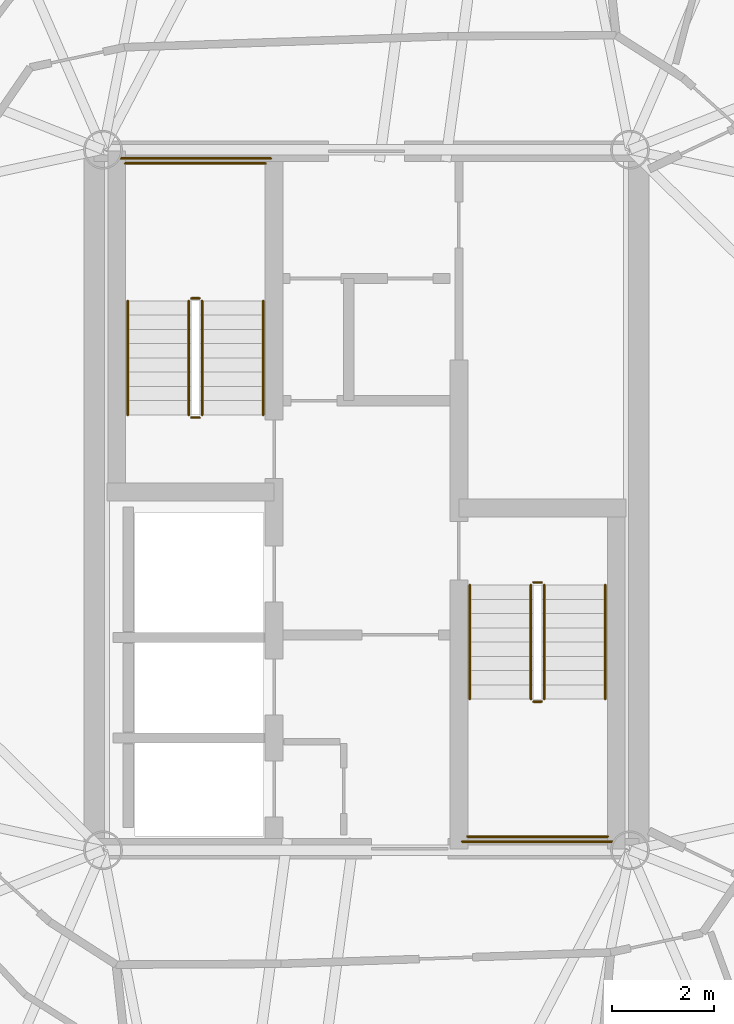
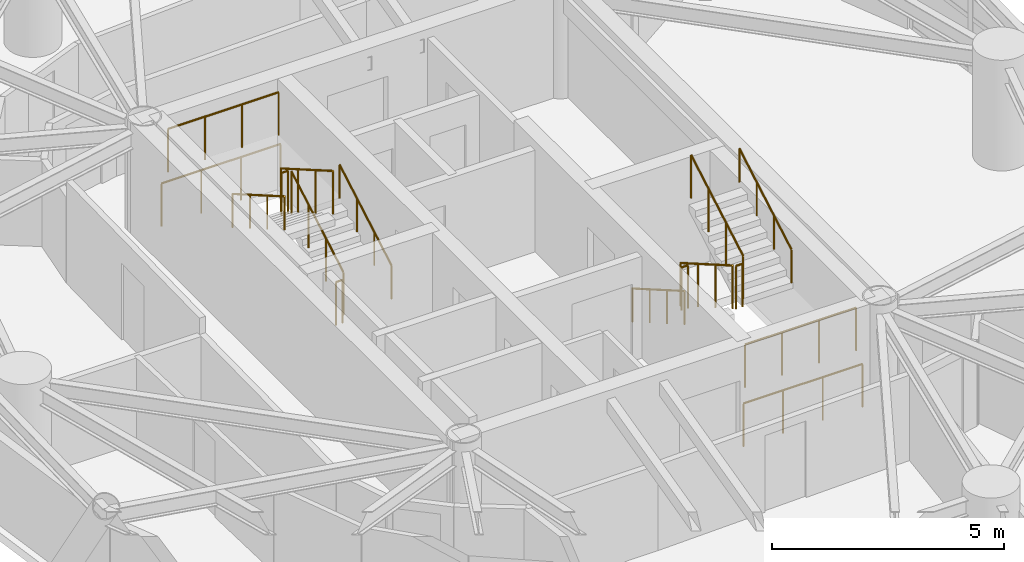
# One storey, part 16 of 17: 16 railings.
"""IFC4 building model written with IfcOpenShell, lengths in metres."""

from ifc_helpers import new_model, si_unit, direction, frame, origin, origin_2d, place, context, subcontext, project, spatial, circle, extrude, material, type_object, element, save


model = new_model("IFC4")

# Units and contexts
model_context = context("Model", 3, precision=1e-05, world=origin(), true_north=direction((0.0, 1.0)))
body_context = subcontext(model_context, "Body", "Model", "MODEL_VIEW")
ifc_project = project(units=[si_unit("LENGTHUNIT", "METRE"), si_unit("AREAUNIT", "SQUARE_METRE"), si_unit("VOLUMEUNIT", "CUBIC_METRE"), si_unit("PLANEANGLEUNIT", "RADIAN"), si_unit("MASSUNIT", "GRAM", prefix="KILO")], contexts=[model_context])

# Site, building, storey
site_placement = place(None, origin())
site = spatial("IfcSite", under=ifc_project, at=site_placement, CompositionType="ELEMENT")
building_placement = place(site_placement, origin())
building = spatial("IfcBuilding", under=site, at=building_placement, Name="Cununo Teusaquillo Station Towers", CompositionType="ELEMENT")
storey_placement = place(building_placement, frame((0.0, 0.0, 174.8798828125)))
storey = spatial("IfcBuildingStorey", under=building, at=storey_placement, Name="L55", CompositionType="ELEMENT", Elevation=174.8798828125)

# Railings
ifc_material_1 = material(Name="Steel EN 10025-2 S355J2", Category="steel")
railing_type_1 = type_object("IfcRailingType", Name="RL-INT-GUARD", PredefinedType="GUARDRAIL", material=ifc_material_1)
railing_1_placement = place(storey_placement, frame((13.27001953125, 26.169921875, 0.161865234375)))
element("IfcRailing", 1, at=railing_1_placement, inside=storey, type_object=railing_type_1, Name="L55 ST-T1-1 stair guard 1", PredefinedType="GUARDRAIL", context=body_context, shape_type="SweptSolid", body=[
    extrude(circle(Radius=0.02392578125, at=origin_2d()), frame((0.0, 0.0, 1.1259765625), z_axis=(0.0, 0.866033117094, 0.499986639918), x_axis=(-1.0, 0.0, 0.0)), (0.0, 0.0, 1.0), 2.58642578125),
    extrude(circle(Radius=0.02099609375, at=origin_2d()), origin(), (0.0, 0.0, 1.0), 1.101806640625),
    extrude(circle(Radius=0.02099609375, at=origin_2d()), frame((0.0, 0.74658203125, 0.43115234375)), (0.0, 0.0, 1.0), 1.101806640625),
    extrude(circle(Radius=0.02099609375, at=origin_2d()), frame((0.0, 1.493408203125, 0.862060546875)), (0.0, 0.0, 1.0), 1.101806640625),
    extrude(circle(Radius=0.02099609375, at=origin_2d()), frame((0.0, 2.239990234375, 1.293212890625)), (0.0, 0.0, 1.0), 1.101806640625),
])
railing_2_placement = place(storey_placement, frame((13.219970703125, 28.4599609375, 1.455078125)))
element("IfcRailing", 2, at=railing_2_placement, inside=storey, type_object=railing_type_1, Name="L55 ST-T1-1 stair guard 2", PredefinedType="GUARDRAIL", context=body_context, shape_type="SweptSolid", body=[
    extrude(circle(Radius=0.02392578125, at=origin_2d()), frame((0.0, 0.0, 1.1259765625), z_axis=(-1.0, 0.0, 0.0), x_axis=(0.0, -1.0, 0.0)), (0.0, 0.0, 1.0), 0.159912109375),
    extrude(circle(Radius=0.02099609375, at=origin_2d()), origin(), (0.0, 0.0, 1.0), 1.101806640625),
    extrude(circle(Radius=0.02099609375, at=origin_2d()), frame((-0.159912109375, 0.0, 0.0)), (0.0, 0.0, 1.0), 1.101806640625),
])
railing_3_placement = place(storey_placement, frame((14.52001953125, 31.110107421875, 1.455078125)))
element("IfcRailing", 3, at=railing_3_placement, inside=storey, type_object=railing_type_1, Name="L55 ST-T1-1 stair guard 3", PredefinedType="GUARDRAIL", context=body_context, shape_type="SweptSolid", body=[
    extrude(circle(Radius=0.02392578125, at=origin_2d()), frame((0.0, 0.0, 1.1259765625), z_axis=(-1.0, 0.0, 0.0), x_axis=(0.0, -1.0, 0.0)), (0.0, 0.0, 1.0), 2.760009765625),
    extrude(circle(Radius=0.02099609375, at=origin_2d()), origin(), (0.0, 0.0, 1.0), 1.101806640625),
    extrude(circle(Radius=0.02099609375, at=origin_2d()), frame((-0.919921875, 0.0, 0.0)), (0.0, 0.0, 1.0), 1.101806640625),
    extrude(circle(Radius=0.02099609375, at=origin_2d()), frame((-1.840087890625, 0.0, 0.0)), (0.0, 0.0, 1.0), 1.101806640625),
    extrude(circle(Radius=0.02099609375, at=origin_2d()), frame((-2.760009765625, 0.0, 0.0)), (0.0, 0.0, 1.0), 1.101806640625),
])
railing_4_placement = place(storey_placement, frame((13.010009765625, 28.409912109375, 1.61669921875)))
element("IfcRailing", 4, at=railing_4_placement, inside=storey, type_object=railing_type_1, Name="L55 ST-T1-1 stair guard 4", PredefinedType="GUARDRAIL", context=body_context, shape_type="SweptSolid", body=[
    extrude(circle(Radius=0.02392578125, at=origin_2d()), frame((0.0, 0.0, 1.1259765625), z_axis=(0.0, -0.865992244559, 0.500057429065), x_axis=(1.0, 0.0, 0.0)), (0.0, 0.0, 1.0), 2.586669921875),
    extrude(circle(Radius=0.02099609375, at=origin_2d()), origin(), (0.0, 0.0, 1.0), 1.101806640625),
    extrude(circle(Radius=0.02099609375, at=origin_2d()), frame((0.0, -0.74658203125, 0.43115234375)), (0.0, 0.0, 1.0), 1.101806640625),
    extrude(circle(Radius=0.02099609375, at=origin_2d()), frame((0.0, -1.493408203125, 0.8623046875)), (0.0, 0.0, 1.0), 1.101806640625),
    extrude(circle(Radius=0.02099609375, at=origin_2d()), frame((0.0, -2.239990234375, 1.29345703125)), (0.0, 0.0, 1.0), 1.101806640625),
])
railing_5_placement = place(storey_placement, frame((13.219970703125, 26.1201171875, 0.0)))
element("IfcRailing", 5, at=railing_5_placement, inside=storey, type_object=railing_type_1, Name="L55 ST-T1-1 stair guard 5", PredefinedType="GUARDRAIL", context=body_context, shape_type="SweptSolid", body=[
    extrude(circle(Radius=0.02392578125, at=origin_2d()), frame((0.0, 0.0, 1.1259765625), z_axis=(-1.0, 0.0, 0.0), x_axis=(0.0, -1.0, 0.0)), (0.0, 0.0, 1.0), 0.159912109375),
    extrude(circle(Radius=0.02099609375, at=origin_2d()), origin(), (0.0, 0.0, 1.0), 1.101806640625),
    extrude(circle(Radius=0.02099609375, at=origin_2d()), frame((-0.159912109375, 0.0, 0.0)), (0.0, 0.0, 1.0), 1.101806640625),
])
railing_6_placement = place(storey_placement, frame((14.6201171875, 31.2099609375, 0.0)))
element("IfcRailing", 6, at=railing_6_placement, inside=storey, type_object=railing_type_1, Name="L55 ST-T1-1 stair guard 6", PredefinedType="GUARDRAIL", context=body_context, shape_type="SweptSolid", body=[
    extrude(circle(Radius=0.02392578125, at=origin_2d()), frame((0.0, 0.0, 1.1259765625), z_axis=(-1.0, 0.0, 0.0), x_axis=(0.0, -1.0, 0.0)), (0.0, 0.0, 1.0), 2.960205078125),
    extrude(circle(Radius=0.02099609375, at=origin_2d()), origin(), (0.0, 0.0, 1.0), 1.101806640625),
    extrude(circle(Radius=0.02099609375, at=origin_2d()), frame((-0.98681640625, 0.0, 0.0)), (0.0, 0.0, 1.0), 1.101806640625),
    extrude(circle(Radius=0.02099609375, at=origin_2d()), frame((-1.973388671875, 0.0, 0.0)), (0.0, 0.0, 1.0), 1.101806640625),
    extrude(circle(Radius=0.02099609375, at=origin_2d()), frame((-2.960205078125, 0.0, 0.0)), (0.0, 0.0, 1.0), 1.101806640625),
])
railing_7_placement = place(storey_placement, frame((19.72998046875, 22.830078125, 0.161865234375)))
element("IfcRailing", 7, at=railing_7_placement, inside=storey, type_object=railing_type_1, Name="L55 ST-T1-2 stair guard 1", PredefinedType="GUARDRAIL", context=body_context, shape_type="SweptSolid", body=[
    extrude(circle(Radius=0.02392578125, at=origin_2d()), frame((0.0, 0.0, 1.1259765625), z_axis=(0.0, -0.866033117094, 0.499986639918), x_axis=(1.0, 0.0, 0.0)), (0.0, 0.0, 1.0), 2.58642578125),
    extrude(circle(Radius=0.02099609375, at=origin_2d()), origin(), (0.0, 0.0, 1.0), 1.101806640625),
    extrude(circle(Radius=0.02099609375, at=origin_2d()), frame((0.0, -0.74658203125, 0.43115234375)), (0.0, 0.0, 1.0), 1.101806640625),
    extrude(circle(Radius=0.02099609375, at=origin_2d()), frame((0.0, -1.493408203125, 0.862060546875)), (0.0, 0.0, 1.0), 1.101806640625),
    extrude(circle(Radius=0.02099609375, at=origin_2d()), frame((0.0, -2.239990234375, 1.293212890625)), (0.0, 0.0, 1.0), 1.101806640625),
])
railing_8_placement = place(storey_placement, frame((19.780029296875, 20.5400390625, 1.455078125)))
element("IfcRailing", 8, at=railing_8_placement, inside=storey, type_object=railing_type_1, Name="L55 ST-T1-2 stair guard 2", PredefinedType="GUARDRAIL", context=body_context, shape_type="SweptSolid", body=[
    extrude(circle(Radius=0.02392578125, at=origin_2d()), frame((0.0, 0.0, 1.1259765625), z_axis=(1.0, 0.0, 0.0), x_axis=(0.0, 1.0, 0.0)), (0.0, 0.0, 1.0), 0.159912109375),
    extrude(circle(Radius=0.02099609375, at=origin_2d()), origin(), (0.0, 0.0, 1.0), 1.101806640625),
    extrude(circle(Radius=0.02099609375, at=origin_2d()), frame((0.159912109375, 0.0, 0.0)), (0.0, 0.0, 1.0), 1.101806640625),
])
railing_9_placement = place(storey_placement, frame((18.47998046875, 17.889892578125, 1.455078125)))
element("IfcRailing", 9, at=railing_9_placement, inside=storey, type_object=railing_type_1, Name="L55 ST-T1-2 stair guard 3", PredefinedType="GUARDRAIL", context=body_context, shape_type="SweptSolid", body=[
    extrude(circle(Radius=0.02392578125, at=origin_2d()), frame((0.0, 0.0, 1.1259765625), z_axis=(1.0, 0.0, 0.0), x_axis=(0.0, 1.0, 0.0)), (0.0, 0.0, 1.0), 2.760009765625),
    extrude(circle(Radius=0.02099609375, at=origin_2d()), origin(), (0.0, 0.0, 1.0), 1.101806640625),
    extrude(circle(Radius=0.02099609375, at=origin_2d()), frame((0.919921875, 0.0, 0.0)), (0.0, 0.0, 1.0), 1.101806640625),
    extrude(circle(Radius=0.02099609375, at=origin_2d()), frame((1.840087890625, 0.0, 0.0)), (0.0, 0.0, 1.0), 1.101806640625),
    extrude(circle(Radius=0.02099609375, at=origin_2d()), frame((2.760009765625, 0.0, 0.0)), (0.0, 0.0, 1.0), 1.101806640625),
])
railing_10_placement = place(storey_placement, frame((19.989990234375, 20.590087890625, 1.61669921875)))
element("IfcRailing", 10, at=railing_10_placement, inside=storey, type_object=railing_type_1, Name="L55 ST-T1-2 stair guard 4", PredefinedType="GUARDRAIL", context=body_context, shape_type="SweptSolid", body=[
    extrude(circle(Radius=0.02392578125, at=origin_2d()), frame((0.0, 0.0, 1.1259765625), z_axis=(0.0, 0.865992244559, 0.500057429065), x_axis=(-1.0, 0.0, 0.0)), (0.0, 0.0, 1.0), 2.586669921875),
    extrude(circle(Radius=0.02099609375, at=origin_2d()), origin(), (0.0, 0.0, 1.0), 1.101806640625),
    extrude(circle(Radius=0.02099609375, at=origin_2d()), frame((0.0, 0.74658203125, 0.43115234375)), (0.0, 0.0, 1.0), 1.101806640625),
    extrude(circle(Radius=0.02099609375, at=origin_2d()), frame((0.0, 1.493408203125, 0.8623046875)), (0.0, 0.0, 1.0), 1.101806640625),
    extrude(circle(Radius=0.02099609375, at=origin_2d()), frame((0.0, 2.239990234375, 1.29345703125)), (0.0, 0.0, 1.0), 1.101806640625),
])
railing_11_placement = place(storey_placement, frame((19.780029296875, 22.8798828125, 0.0)))
element("IfcRailing", 11, at=railing_11_placement, inside=storey, type_object=railing_type_1, Name="L55 ST-T1-2 stair guard 5", PredefinedType="GUARDRAIL", context=body_context, shape_type="SweptSolid", body=[
    extrude(circle(Radius=0.02392578125, at=origin_2d()), frame((0.0, 0.0, 1.1259765625), z_axis=(1.0, 0.0, 0.0), x_axis=(0.0, 1.0, 0.0)), (0.0, 0.0, 1.0), 0.159912109375),
    extrude(circle(Radius=0.02099609375, at=origin_2d()), origin(), (0.0, 0.0, 1.0), 1.101806640625),
    extrude(circle(Radius=0.02099609375, at=origin_2d()), frame((0.159912109375, 0.0, 0.0)), (0.0, 0.0, 1.0), 1.101806640625),
])
railing_12_placement = place(storey_placement, frame((18.3798828125, 17.7900390625, 0.0)))
element("IfcRailing", 12, at=railing_12_placement, inside=storey, type_object=railing_type_1, Name="L55 ST-T1-2 stair guard 6", PredefinedType="GUARDRAIL", context=body_context, shape_type="SweptSolid", body=[
    extrude(circle(Radius=0.02392578125, at=origin_2d()), frame((0.0, 0.0, 1.1259765625), z_axis=(1.0, 0.0, 0.0), x_axis=(0.0, 1.0, 0.0)), (0.0, 0.0, 1.0), 2.960205078125),
    extrude(circle(Radius=0.02099609375, at=origin_2d()), origin(), (0.0, 0.0, 1.0), 1.101806640625),
    extrude(circle(Radius=0.02099609375, at=origin_2d()), frame((0.98681640625, 0.0, 0.0)), (0.0, 0.0, 1.0), 1.101806640625),
    extrude(circle(Radius=0.02099609375, at=origin_2d()), frame((1.973388671875, 0.0, 0.0)), (0.0, 0.0, 1.0), 1.101806640625),
    extrude(circle(Radius=0.02099609375, at=origin_2d()), frame((2.960205078125, 0.0, 0.0)), (0.0, 0.0, 1.0), 1.101806640625),
])
ifc_material_2 = material(Name="Steel EN 10025-2 S355J2", Category="steel")
railing_type_2 = type_object("IfcRailingType", Name="RL-INT-HRAIL", PredefinedType="HANDRAIL", material=ifc_material_2)
railing_13_placement = place(storey_placement, frame((14.469970703125, 26.169921875, 0.161865234375)))
element("IfcRailing", 13, at=railing_13_placement, inside=storey, type_object=railing_type_2, Name="L55 ST-T1-1 stair handrail 1", PredefinedType="HANDRAIL", context=body_context, shape_type="SweptSolid", body=[
    extrude(circle(Radius=0.02392578125, at=origin_2d()), frame((0.0, 0.0, 0.8759765625), z_axis=(0.0, 0.866033117094, 0.499986639918), x_axis=(-1.0, 0.0, 0.0)), (0.0, 0.0, 1.0), 2.58642578125),
    extrude(circle(Radius=0.02099609375, at=origin_2d()), origin(), (0.0, 0.0, 1.0), 0.851806640625),
    extrude(circle(Radius=0.02099609375, at=origin_2d()), frame((0.0, 0.74658203125, 0.43115234375)), (0.0, 0.0, 1.0), 0.851806640625),
    extrude(circle(Radius=0.02099609375, at=origin_2d()), frame((0.0, 1.493408203125, 0.862060546875)), (0.0, 0.0, 1.0), 0.851806640625),
    extrude(circle(Radius=0.02099609375, at=origin_2d()), frame((0.0, 2.239990234375, 1.293212890625)), (0.0, 0.0, 1.0), 0.851806640625),
])
railing_14_placement = place(storey_placement, frame((11.81005859375, 28.409912109375, 1.61669921875)))
element("IfcRailing", 14, at=railing_14_placement, inside=storey, type_object=railing_type_2, Name="L55 ST-T1-1 stair handrail 2", PredefinedType="HANDRAIL", context=body_context, shape_type="SweptSolid", body=[
    extrude(circle(Radius=0.02392578125, at=origin_2d()), frame((0.0, 0.0, 0.8759765625), z_axis=(0.0, -0.865992244559, 0.500057429065), x_axis=(1.0, 0.0, 0.0)), (0.0, 0.0, 1.0), 2.586669921875),
    extrude(circle(Radius=0.02099609375, at=origin_2d()), origin(), (0.0, 0.0, 1.0), 0.851806640625),
    extrude(circle(Radius=0.02099609375, at=origin_2d()), frame((0.0, -0.74658203125, 0.43115234375)), (0.0, 0.0, 1.0), 0.851806640625),
    extrude(circle(Radius=0.02099609375, at=origin_2d()), frame((0.0, -1.493408203125, 0.8623046875)), (0.0, 0.0, 1.0), 0.851806640625),
    extrude(circle(Radius=0.02099609375, at=origin_2d()), frame((0.0, -2.239990234375, 1.29345703125)), (0.0, 0.0, 1.0), 0.851806640625),
])
railing_15_placement = place(storey_placement, frame((18.530029296875, 22.830078125, 0.161865234375)))
element("IfcRailing", 15, at=railing_15_placement, inside=storey, type_object=railing_type_2, Name="L55 ST-T1-2 stair handrail 1", PredefinedType="HANDRAIL", context=body_context, shape_type="SweptSolid", body=[
    extrude(circle(Radius=0.02392578125, at=origin_2d()), frame((0.0, 0.0, 0.8759765625), z_axis=(0.0, -0.866033117094, 0.499986639918), x_axis=(1.0, 0.0, 0.0)), (0.0, 0.0, 1.0), 2.58642578125),
    extrude(circle(Radius=0.02099609375, at=origin_2d()), origin(), (0.0, 0.0, 1.0), 0.851806640625),
    extrude(circle(Radius=0.02099609375, at=origin_2d()), frame((0.0, -0.74658203125, 0.43115234375)), (0.0, 0.0, 1.0), 0.851806640625),
    extrude(circle(Radius=0.02099609375, at=origin_2d()), frame((0.0, -1.493408203125, 0.862060546875)), (0.0, 0.0, 1.0), 0.851806640625),
    extrude(circle(Radius=0.02099609375, at=origin_2d()), frame((0.0, -2.239990234375, 1.293212890625)), (0.0, 0.0, 1.0), 0.851806640625),
])
railing_16_placement = place(storey_placement, frame((21.18994140625, 20.590087890625, 1.61669921875)))
element("IfcRailing", 16, at=railing_16_placement, inside=storey, type_object=railing_type_2, Name="L55 ST-T1-2 stair handrail 2", PredefinedType="HANDRAIL", context=body_context, shape_type="SweptSolid", body=[
    extrude(circle(Radius=0.02392578125, at=origin_2d()), frame((0.0, 0.0, 0.8759765625), z_axis=(0.0, 0.865992244559, 0.500057429065), x_axis=(-1.0, 0.0, 0.0)), (0.0, 0.0, 1.0), 2.586669921875),
    extrude(circle(Radius=0.02099609375, at=origin_2d()), origin(), (0.0, 0.0, 1.0), 0.851806640625),
    extrude(circle(Radius=0.02099609375, at=origin_2d()), frame((0.0, 0.74658203125, 0.43115234375)), (0.0, 0.0, 1.0), 0.851806640625),
    extrude(circle(Radius=0.02099609375, at=origin_2d()), frame((0.0, 1.493408203125, 0.8623046875)), (0.0, 0.0, 1.0), 0.851806640625),
    extrude(circle(Radius=0.02099609375, at=origin_2d()), frame((0.0, 2.239990234375, 1.29345703125)), (0.0, 0.0, 1.0), 0.851806640625),
])

save(model, "model.ifc")
